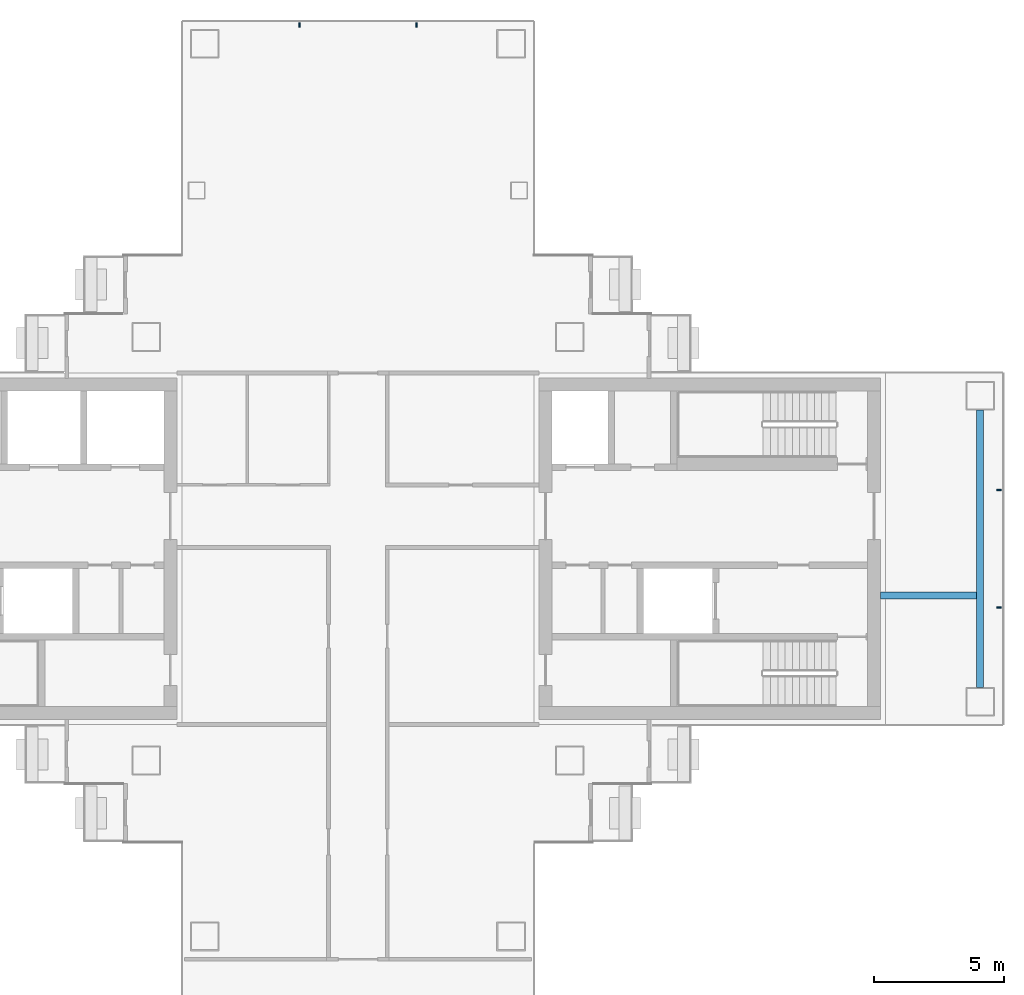
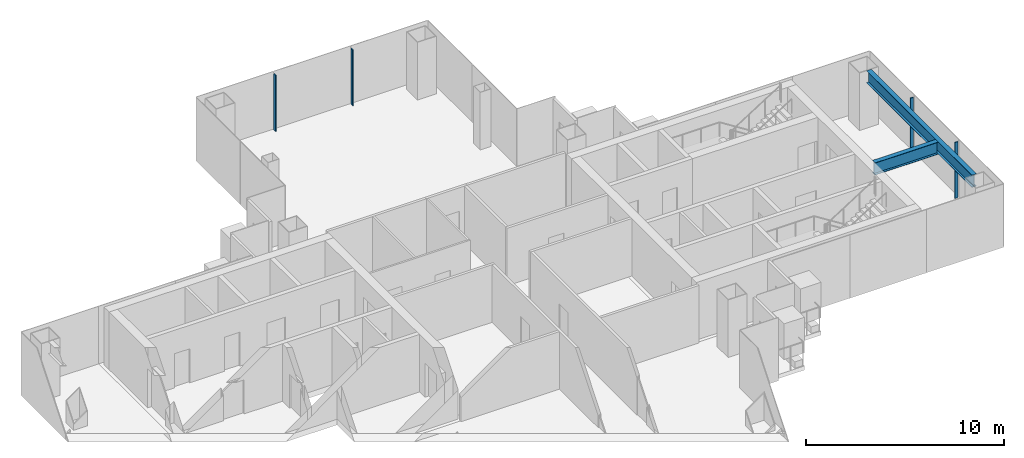
# One storey, part 6 of 17: 4 members, 2 beams, 2 elements without a shape of their own.
"""IFC4 building model written with IfcOpenShell, lengths in metres."""

from ifc_helpers import new_model, si_unit, direction, frame, origin, origin_2d, place, context, subcontext, project, spatial, rectangle, i_section, extrude, material, layer, layer_set, material_profile, profile_set, type_object, element, aggregate, save


model = new_model("IFC4")

# Units and contexts
model_context = context("Model", 3, precision=1e-05, world=origin(), true_north=direction((0.0, 1.0)))
body_context = subcontext(model_context, "Body", "Model", "MODEL_VIEW")
ifc_project = project(units=[si_unit("LENGTHUNIT", "METRE"), si_unit("AREAUNIT", "SQUARE_METRE"), si_unit("VOLUMEUNIT", "CUBIC_METRE"), si_unit("PLANEANGLEUNIT", "RADIAN"), si_unit("MASSUNIT", "GRAM", prefix="KILO")], contexts=[model_context])

# Site, building, storey
site_placement = place(None, origin())
site = spatial("IfcSite", under=ifc_project, at=site_placement, CompositionType="ELEMENT")
building_placement = place(site_placement, origin())
building = spatial("IfcBuilding", under=site, at=building_placement, Name="Shamsa Quay Exchange Towers", CompositionType="ELEMENT")
storey_placement = place(building_placement, frame((0.0, 0.0, 170.10009765625)))
storey = spatial("IfcBuildingStorey", under=building, at=storey_placement, Name="L40", CompositionType="ELEMENT", Elevation=170.10009765625)

# Curtain wall, members
ifc_material_1 = material(Name="Aluminium EN AW-6063 T6, black anodised", Category="aluminium")
ifc_layer = layer(ifc_material_1, 0.280029296875)
ifc_layer_set = layer_set([ifc_layer], Name="CW-1 UNITISED VISION GLASS")
curtain_wall_type = type_object("IfcCurtainWallType", Name="CW-1 UNITISED VISION GLASS", PredefinedType="NOTDEFINED", material=ifc_layer_set)
curtain_wall_1_placement = place(storey_placement, origin())
curtain_wall_1 = element("IfcCurtainWall", 1, at=curtain_wall_1_placement, inside=storey, type_object=curtain_wall_type, Name="CW1 T2-END-V- L40", PredefinedType="NOTDEFINED")
ifc_material_profile_1 = material_profile(ifc_material_1, rectangle(XDim=0.179931640625, YDim=0.06005859375, at=origin_2d()), Name="MU60x180")
ifc_profile_set_1 = profile_set([ifc_material_profile_1], Name="Aluminium EN AW-6063 T6, black anodised")
member_type = type_object("IfcMemberType", Name="CW1 MULLION 60x180", PredefinedType="MULLION", material=ifc_profile_set_1)
member_1_placement = place(storey_placement, frame((58.35009765625, -2.25, 0.0), z_axis=(0.0, 0.0, 1.0), x_axis=(-1.0, 0.0, 0.0)))
member_1 = element("IfcMember", 2, at=member_1_placement, type_object=member_type, Name="CW1 mullion", PredefinedType="MULLION", context=body_context, shape_type="SweptSolid", body=[
    extrude(rectangle(XDim=0.179931640625, YDim=0.06005859375, at=origin_2d()), origin(), (0.0, 0.0, 1.0), 3.449951171875),
])
member_2_placement = place(storey_placement, frame((58.35009765625, 2.25, 0.0), z_axis=(0.0, 0.0, 1.0), x_axis=(-1.0, 0.0, 0.0)))
member_2 = element("IfcMember", 3, at=member_2_placement, type_object=member_type, Name="CW1 mullion", PredefinedType="MULLION", context=body_context, shape_type="SweptSolid", body=[
    extrude(rectangle(XDim=0.179931640625, YDim=0.06005859375, at=origin_2d()), origin(), (0.0, 0.0, 1.0), 3.449951171875),
])
aggregate(curtain_wall_1, [member_1, member_2])

curtain_wall_2_placement = place(storey_placement, origin())
curtain_wall_2 = element("IfcCurtainWall", 4, at=curtain_wall_2_placement, inside=storey, type_object=curtain_wall_type, Name="CW1 T2-END-U+ L40", PredefinedType="NOTDEFINED")
member_3_placement = place(storey_placement, frame((36.0, 20.10009765625, 0.0), z_axis=(0.0, 0.0, 1.0), x_axis=(0.0, -1.0, 0.0)))
member_3 = element("IfcMember", 5, at=member_3_placement, type_object=member_type, Name="CW1 mullion", PredefinedType="MULLION", context=body_context, shape_type="SweptSolid", body=[
    extrude(rectangle(XDim=0.179931640625, YDim=0.06005859375, at=origin_2d()), origin(), (0.0, 0.0, 1.0), 3.449951171875),
])
member_4_placement = place(storey_placement, frame((31.5, 20.10009765625, 0.0), z_axis=(0.0, 0.0, 1.0), x_axis=(0.0, -1.0, 0.0)))
member_4 = element("IfcMember", 6, at=member_4_placement, type_object=member_type, Name="CW1 mullion", PredefinedType="MULLION", context=body_context, shape_type="SweptSolid", body=[
    extrude(rectangle(XDim=0.179931640625, YDim=0.06005859375, at=origin_2d()), origin(), (0.0, 0.0, 1.0), 3.449951171875),
])
aggregate(curtain_wall_2, [member_3, member_4])

# Beams
ifc_material_2 = material(Name="Steel S355", Category="steel")
ifc_material_profile_2 = material_profile(ifc_material_2, i_section(OverallWidth=0.26611328125, OverallDepth=0.7578125, WebThickness=0.013916015625, FlangeThickness=0.019287109375, at=origin_2d()), Name="W30x108")
ifc_profile_set_2 = profile_set([ifc_material_profile_2], Name="Steel S355")
beam_type = type_object("IfcBeamType", Name="End-zone beam W30x108", PredefinedType="BEAM", material=ifc_profile_set_2)
beam_1_placement = place(storey_placement, frame((57.625, -5.324951171875, 3.171142578125), z_axis=(0.0, 1.0, 0.0), x_axis=(-1.0, 0.0, 0.0)))
element("IfcBeam", 7, at=beam_1_placement, inside=storey, type_object=beam_type, Name="End beam T2 V- end zone L40", PredefinedType="BEAM", context=body_context, shape_type="SweptSolid", body=[
    extrude(i_section(OverallWidth=0.26611328125, OverallDepth=0.7578125, WebThickness=0.013916015625, FlangeThickness=0.019287109375, at=origin_2d()), origin(), (0.0, 0.0, 1.0), 10.64990234375),
])
beam_2_placement = place(storey_placement, frame((53.800048828125, -1.800048828125, 3.171142578125), z_axis=(1.0, 0.0, 0.0), x_axis=(0.0, 1.0, 0.0)))
element("IfcBeam", 8, at=beam_2_placement, inside=storey, type_object=beam_type, Name="Spine beam T2 V- end zone L40", PredefinedType="BEAM", context=body_context, shape_type="SweptSolid", body=[
    extrude(i_section(OverallWidth=0.26611328125, OverallDepth=0.7578125, WebThickness=0.013916015625, FlangeThickness=0.019287109375, at=origin_2d()), origin(), (0.0, 0.0, 1.0), 3.69189453125),
])

save(model, "model.ifc")
